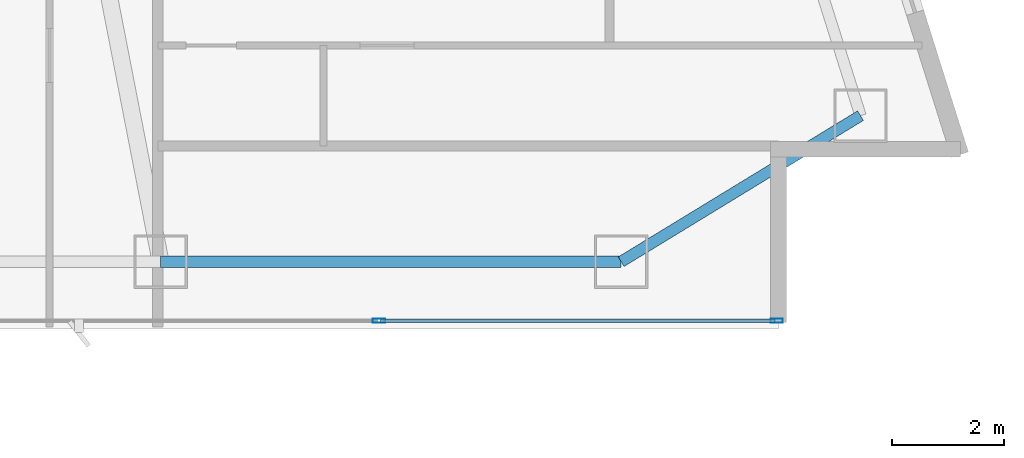
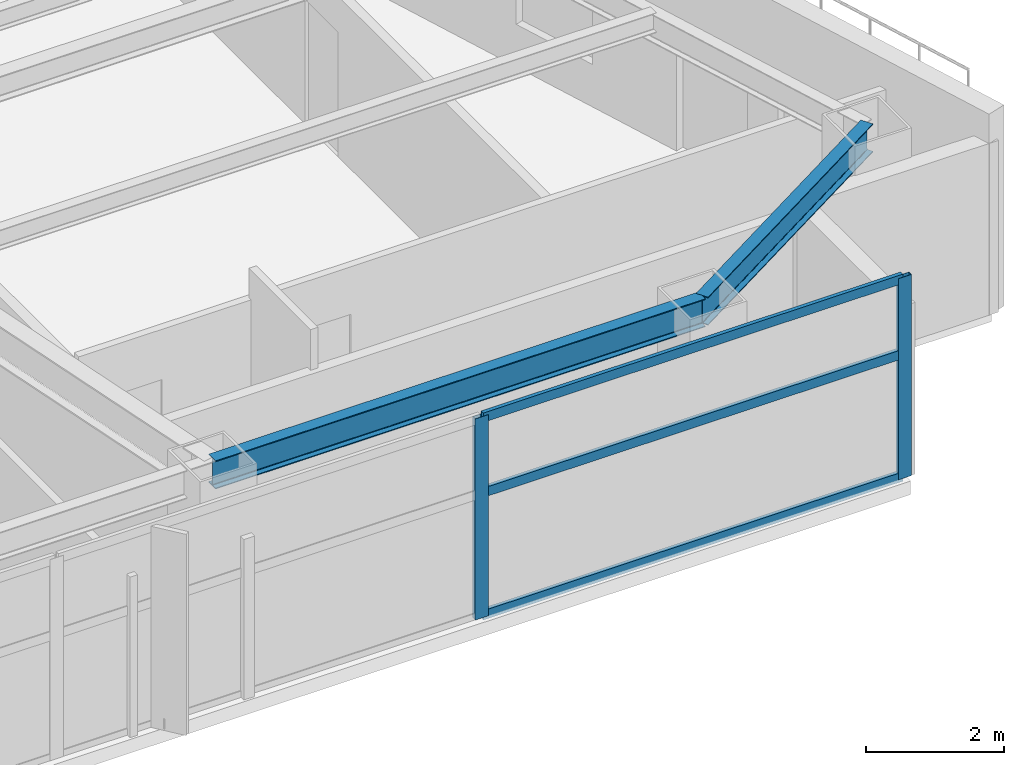
# One storey, part 14 of 30: 5 members, 2 beams, 1 element without a shape of its own.
"""IFC4 building model written with IfcOpenShell, lengths in metres."""

from ifc_helpers import new_model, si_unit, direction, frame, origin, origin_2d, place, context, subcontext, project, spatial, hollow_rectangle, i_section, extrude, material, layer, layer_set, material_profile, profile_set, type_object, element, aggregate, save


model = new_model("IFC4")

# Units and contexts
model_context = context("Model", 3, precision=1e-05, world=origin(), true_north=direction((0.0, 1.0)))
body_context = subcontext(model_context, "Body", "Model", "MODEL_VIEW")
ifc_project = project(units=[si_unit("LENGTHUNIT", "METRE"), si_unit("AREAUNIT", "SQUARE_METRE"), si_unit("VOLUMEUNIT", "CUBIC_METRE"), si_unit("PLANEANGLEUNIT", "RADIAN"), si_unit("MASSUNIT", "GRAM", prefix="KILO")], contexts=[model_context])

# Site, building, storey
site_placement = place(None, origin())
site = spatial("IfcSite", under=ifc_project, at=site_placement, CompositionType="ELEMENT")
building_placement = place(site_placement, origin())
building = spatial("IfcBuilding", under=site, at=building_placement, Name="Calvorn Quay Hotel", CompositionType="ELEMENT")
storey_placement = place(building_placement, frame((0.0, 0.0, 54.60009765625)))
storey = spatial("IfcBuildingStorey", under=building, at=storey_placement, Name="L12", CompositionType="ELEMENT", Elevation=54.60009765625)

# Beams
ifc_material_1 = material(Name="Steel Q355B", Category="steel")
ifc_material_profile_1 = material_profile(ifc_material_1, i_section(OverallWidth=0.199951171875, OverallDepth=0.5, WebThickness=0.010009765625, FlangeThickness=0.01611328125, FilletRadius=0.01611328125, at=origin_2d()), Name="HN500x200x10x16")
ifc_profile_set_1 = profile_set([ifc_material_profile_1], Name="Steel Q355B")
beam_type = type_object("IfcBeamType", Name="BM-SPANDREL-Z1", PredefinedType="SPANDREL", material=ifc_profile_set_1)
beam_1_placement = place(storey_placement, frame((49.39990234375, 3.60009765625, 3.289794921875), z_axis=(1.0, 0.0, 0.0), x_axis=(0.0, 1.0, 0.0)))
element("IfcBeam", 1, at=beam_1_placement, inside=storey, type_object=beam_type, Name="Beam BSP-L12-S6", PredefinedType="SPANDREL", context=body_context, shape_type="SweptSolid", body=[
    extrude(i_section(OverallWidth=0.199951171875, OverallDepth=0.5, WebThickness=0.010009765625, FlangeThickness=0.01611328125, FilletRadius=0.01611328125, at=origin_2d()), origin(), (0.0, 0.0, 1.0), 8.2001953125),
])
beam_2_placement = place(storey_placement, frame((57.60009765625, 3.60009765625, 3.289794921875), z_axis=(0.853645546466, 0.520854376, 0.0), x_axis=(-0.520854376, 0.853645546466, 0.0)))
element("IfcBeam", 2, at=beam_2_placement, inside=storey, type_object=beam_type, Name="Beam BSP-L12-S7", PredefinedType="SPANDREL", context=body_context, shape_type="SweptSolid", body=[
    extrude(i_section(OverallWidth=0.199951171875, OverallDepth=0.5, WebThickness=0.010009765625, FlangeThickness=0.01611328125, FilletRadius=0.01611328125, at=origin_2d()), origin(), (0.0, 0.0, 1.0), 4.991455078125),
])

# Curtain wall, members
ifc_material_2 = material(Name="Pale Anodised Aluminium and Low-E Glass", Category="aluminium")
ifc_layer = layer(ifc_material_2, 0.219970703125)
ifc_layer_set = layer_set([ifc_layer], Name="CW-SYS-Z1")
curtain_wall_type = type_object("IfcCurtainWallType", Name="CW-SYS-Z1", PredefinedType="NOTDEFINED", material=ifc_layer_set)
curtain_wall_placement = place(storey_placement, origin())
curtain_wall = element("IfcCurtainWall", 3, at=curtain_wall_placement, inside=storey, type_object=curtain_wall_type, Name="Tower South Waterfront Curtain Wall (L12)", PredefinedType="NOTDEFINED")
ifc_material_3 = material(Name="Pale Anodised Aluminium 6063-T6", Category="aluminium")
ifc_material_profile_2 = material_profile(ifc_material_3, hollow_rectangle(XDim=0.074951171875, YDim=0.219970703125, WallThickness=0.00439453125, at=origin_2d()), Name="ALU-M220x75x4.5")
ifc_profile_set_2 = profile_set([ifc_material_profile_2], Name="Pale Anodised Aluminium 6063-T6")
member_type_1 = type_object("IfcMemberType", Name="CW-SYS-Z1-MUL", PredefinedType="MULLION", material=ifc_profile_set_2)
member_1_placement = place(storey_placement, frame((53.28564453125, 2.550048828125, 0.0), z_axis=(0.0, 0.0, 1.0), x_axis=(0.0, 1.0, 0.0)))
member_1 = element("IfcMember", 4, at=member_1_placement, type_object=member_type_1, Name="CW-L12-S mullion 7", PredefinedType="MULLION", context=body_context, shape_type="SweptSolid", body=[
    extrude(hollow_rectangle(XDim=0.074951171875, YDim=0.219970703125, WallThickness=0.00439453125, at=origin_2d()), origin(), (0.0, 0.0, 1.0), 3.559814453125),
])
member_2_placement = place(storey_placement, frame((60.3701171875, 2.550048828125, 0.0), z_axis=(0.0, 0.0, 1.0), x_axis=(0.0, 1.0, 0.0)))
member_2 = element("IfcMember", 5, at=member_2_placement, type_object=member_type_1, Name="CW-L12-S mullion 8", PredefinedType="MULLION", context=body_context, shape_type="SweptSolid", body=[
    extrude(hollow_rectangle(XDim=0.074951171875, YDim=0.219970703125, WallThickness=0.00439453125, at=origin_2d()), origin(), (0.0, 0.0, 1.0), 3.559814453125),
])
ifc_material_4 = material(Name="Pale Anodised Aluminium 6063-T6", Category="aluminium")
ifc_material_profile_3 = material_profile(ifc_material_4, hollow_rectangle(XDim=0.06494140625, YDim=0.1650390625, WallThickness=0.00341796875, at=origin_2d()), Name="ALU-T165x65x3.5")
ifc_profile_set_3 = profile_set([ifc_material_profile_3], Name="Pale Anodised Aluminium 6063-T6")
member_type_2 = type_object("IfcMemberType", Name="CW-SYS-Z1-TRN", PredefinedType="USERDEFINED", material=ifc_profile_set_3)
member_3_placement = place(storey_placement, frame((53.315673828125, 2.550048828125, 0.02978515625), z_axis=(1.0, 0.0, 0.0), x_axis=(0.0, 1.0, 0.0)))
member_3 = element("IfcMember", 6, at=member_3_placement, type_object=member_type_2, Name="CW-L12-S transom 7.1", ObjectType="TRANSOM", PredefinedType="USERDEFINED", context=body_context, shape_type="SweptSolid", body=[
    extrude(hollow_rectangle(XDim=0.06494140625, YDim=0.1650390625, WallThickness=0.00341796875, at=origin_2d()), origin(), (0.0, 0.0, 1.0), 7.0244140625),
])
member_4_placement = place(storey_placement, frame((53.315673828125, 2.550048828125, 2.199951171875), z_axis=(1.0, 0.0, 0.0), x_axis=(0.0, 1.0, 0.0)))
member_4 = element("IfcMember", 7, at=member_4_placement, type_object=member_type_2, Name="CW-L12-S transom 7.2", ObjectType="TRANSOM", PredefinedType="USERDEFINED", context=body_context, shape_type="SweptSolid", body=[
    extrude(hollow_rectangle(XDim=0.06494140625, YDim=0.1650390625, WallThickness=0.00341796875, at=origin_2d()), origin(), (0.0, 0.0, 1.0), 7.0244140625),
])
member_5_placement = place(storey_placement, frame((53.315673828125, 2.550048828125, 3.52978515625), z_axis=(1.0, 0.0, 0.0), x_axis=(0.0, 1.0, 0.0)))
member_5 = element("IfcMember", 8, at=member_5_placement, type_object=member_type_2, Name="CW-L12-S transom 7.3", ObjectType="TRANSOM", PredefinedType="USERDEFINED", context=body_context, shape_type="SweptSolid", body=[
    extrude(hollow_rectangle(XDim=0.06494140625, YDim=0.1650390625, WallThickness=0.00341796875, at=origin_2d()), origin(), (0.0, 0.0, 1.0), 7.0244140625),
])
aggregate(curtain_wall, [member_1, member_2, member_3, member_4, member_5])

save(model, "model.ifc")
